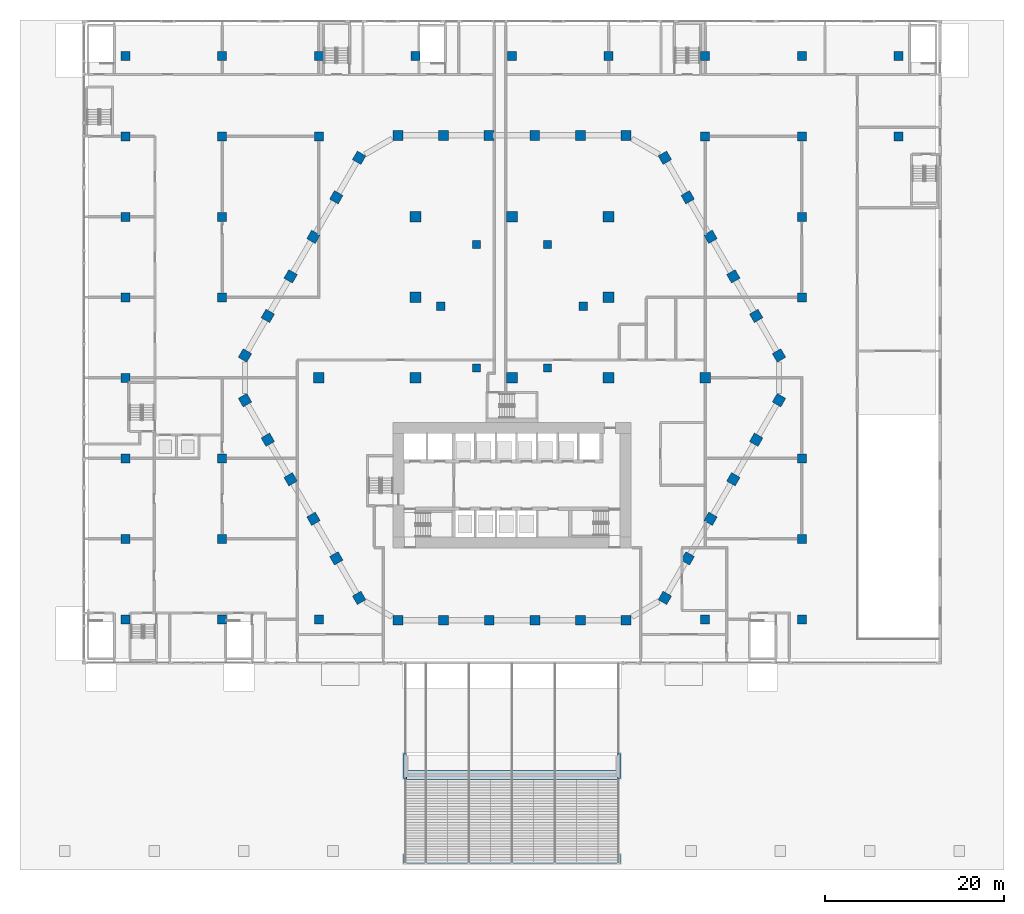
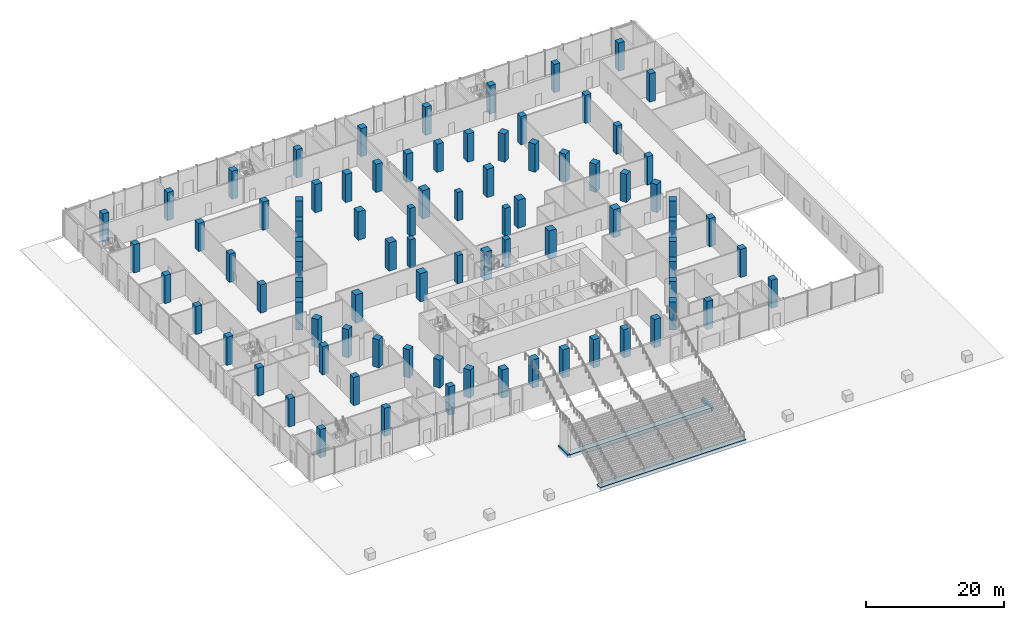
# One storey, part 1 of 57: 85 columns, 4 footings.
"""IFC4 building model written with IfcOpenShell, lengths in metres."""

from ifc_helpers import new_model, si_unit, direction, frame, origin, origin_2d, place, context, subcontext, project, spatial, polyline, rectangle, outline, extrude, material, material_profile, profile_set, type_object, element, save


model = new_model("IFC4")

# Units and contexts
model_context = context("Model", 3, precision=1e-05, world=origin(), true_north=direction((0.0, 1.0)))
body_context = subcontext(model_context, "Body", "Model", "MODEL_VIEW")
ifc_project = project(units=[si_unit("LENGTHUNIT", "METRE"), si_unit("AREAUNIT", "SQUARE_METRE"), si_unit("VOLUMEUNIT", "CUBIC_METRE"), si_unit("PLANEANGLEUNIT", "RADIAN"), si_unit("MASSUNIT", "GRAM", prefix="KILO")], contexts=[model_context])

# Site, building, storey
site_placement = place(None, origin())
site = spatial("IfcSite", under=ifc_project, at=site_placement, CompositionType="ELEMENT")
building_placement = place(site_placement, origin())
building = spatial("IfcBuilding", under=site, at=building_placement, Name="Beryl Residences", CompositionType="ELEMENT")
storey_placement = place(building_placement, origin())
storey = spatial("IfcBuildingStorey", under=building, at=storey_placement, Name="L00", CompositionType="ELEMENT", Elevation=0.0)

# Footings
ifc_material_1 = material(Name="Concrete C40/50", Category="concrete")
footing_type = type_object("IfcFootingType", Name="FS1 stair strip footing 1000 x 600 mm", PredefinedType="STRIP_FOOTING", material=ifc_material_1)
footing_1_placement = place(storey_placement, frame((0.0, 0.0, -0.60009765625)))
element("IfcFooting", 1, at=footing_1_placement, inside=storey, type_object=footing_type, Name="FS1 stair strip footing footing-wall1", PredefinedType="STRIP_FOOTING", context=body_context, shape_type="SweptSolid", body=[
    extrude(outline(polyline([(-11.800048828125, -44.89990234375), (11.800048828125, -44.89990234375), (11.800048828125, -43.89990234375), (-11.800048828125, -43.89990234375), (-11.800048828125, -44.89990234375)])), origin(), (0.0, 0.0, 1.0), 0.60009765625),
])
footing_2_placement = place(storey_placement, frame((0.0, 0.0, -0.60009765625)))
element("IfcFooting", 2, at=footing_2_placement, inside=storey, type_object=footing_type, Name="FS1 stair strip footing footing-wend-w1", PredefinedType="STRIP_FOOTING", context=body_context, shape_type="SweptSolid", body=[
    extrude(outline(polyline([(-12.199951171875, -44.800048828125), (-11.800048828125, -44.800048828125), (-11.800048828125, -42.0), (-12.199951171875, -42.0), (-12.199951171875, -44.800048828125)])), origin(), (0.0, 0.0, 1.0), 0.60009765625),
])
footing_3_placement = place(storey_placement, frame((0.0, 0.0, -0.60009765625)))
element("IfcFooting", 3, at=footing_3_placement, inside=storey, type_object=footing_type, Name="FS1 stair strip footing footing-wend-e1", PredefinedType="STRIP_FOOTING", context=body_context, shape_type="SweptSolid", body=[
    extrude(outline(polyline([(11.800048828125, -44.800048828125), (12.199951171875, -44.800048828125), (12.199951171875, -42.0), (11.800048828125, -42.0), (11.800048828125, -44.800048828125)])), origin(), (0.0, 0.0, 1.0), 0.60009765625),
])
footing_4_placement = place(storey_placement, frame((0.0, 0.0, -0.60009765625)))
element("IfcFooting", 4, at=footing_4_placement, inside=storey, type_object=footing_type, Name="FS1 stair strip footing footing-foot1", PredefinedType="STRIP_FOOTING", context=body_context, shape_type="SweptSolid", body=[
    extrude(outline(polyline([(-12.199951171875, -54.300048828125), (12.199951171875, -54.300048828125), (12.199951171875, -53.300048828125), (-12.199951171875, -53.300048828125), (-12.199951171875, -54.300048828125)])), origin(), (0.0, 0.0, 1.0), 0.60009765625),
])

# Columns
ifc_material_2 = material(Name="Concrete C80/95", Category="concrete")
ifc_material_profile_1 = material_profile(ifc_material_2, rectangle(XDim=1.10009765625, YDim=1.10009765625, at=origin_2d()))
ifc_profile_set_1 = profile_set([ifc_material_profile_1], Name="Concrete C80/95")
column_type_1 = type_object("IfcColumnType", Name="C1 tube column 1100 x 1100 C80/95", PredefinedType="COLUMN", material=ifc_profile_set_1)
for number, where, z_axis, x_axis, name in (
    (5, (12.759033203125, 27.10009765625, 0.0), (0.0, 0.0, 1.0), (-1.0, 0.0, 0.0), "C1-N1 L00"),
    (6, (7.655029296875, 27.10009765625, 0.0), (0.0, 0.0, 1.0), (-1.0, 0.0, 0.0), "C1-N2 L00"),
    (7, (2.551025390625, 27.10009765625, 0.0), (0.0, 0.0, 1.0), (-1.0, 0.0, 0.0), "C1-N3 L00"),
    (8, (-2.552978515625, 27.10009765625, 0.0), (0.0, 0.0, 1.0), (-1.0, 0.0, 0.0), "C1-N4 L00"),
    (9, (-7.656982421875, 27.10009765625, 0.0), (0.0, 0.0, 1.0), (-1.0, 0.0, 0.0), "C1-N5 L00"),
    (10, (-12.760986328125, 27.10009765625, 0.0), (0.0, 0.0, 1.0), (-1.0, 0.0, 0.0), "C1-N6 L00"),
    (11, (-17.090087890625, 24.60009765625, 0.0), (0.0, 0.0, 1.0), (-0.499984884929, -0.866034130299, 0.0), "C1-NW1 L00"),
    (12, (-19.64208984375, 20.179931640625, 0.0), (0.0, 0.0, 1.0), (-0.499984884929, -0.866034130299, 0.0), "C1-NW2 L00"),
    (13, (-22.194091796875, 15.759033203125, 0.0), (0.0, 0.0, 1.0), (-0.499984884929, -0.866034130299, 0.0), "C1-NW3 L00"),
    (14, (-24.74609375, 11.339111328125, 0.0), (0.0, 0.0, 1.0), (-0.499984884929, -0.866034130299, 0.0), "C1-NW4 L00"),
    (15, (-27.298095703125, 6.9189453125, 0.0), (0.0, 0.0, 1.0), (-0.499984884929, -0.866034130299, 0.0), "C1-NW5 L00"),
    (16, (-29.84912109375, 2.4990234375, 0.0), (0.0, 0.0, 1.0), (-0.499984884929, -0.866034130299, 0.0), "C1-NW6 L00"),
    (17, (-29.847900390625, -2.5, 0.0), (0.0, 0.0, 1.0), (0.499984884929, -0.866034130299, 0.0), "C1-SW1 L00"),
    (18, (-27.297119140625, -6.9208984375, 0.0), (0.0, 0.0, 1.0), (0.499984884929, -0.866034130299, 0.0), "C1-SW2 L00"),
    (19, (-24.7451171875, -11.341064453125, 0.0), (0.0, 0.0, 1.0), (0.499984884929, -0.866034130299, 0.0), "C1-SW3 L00"),
    (20, (-22.193115234375, -15.760986328125, 0.0), (0.0, 0.0, 1.0), (0.499984884929, -0.866034130299, 0.0), "C1-SW4 L00"),
    (21, (-19.64111328125, -20.180908203125, 0.0), (0.0, 0.0, 1.0), (0.499984884929, -0.866034130299, 0.0), "C1-SW5 L00"),
    (22, (-17.089111328125, -24.60107421875, 0.0), (0.0, 0.0, 1.0), (0.499984884929, -0.866034130299, 0.0), "C1-SW6 L00"),
    (23, (-12.759033203125, -27.10009765625, 0.0), (0.0, 0.0, 1.0), (1.0, 0.0, 0.0), "C1-S1 L00"),
    (24, (-7.655029296875, -27.10009765625, 0.0), (0.0, 0.0, 1.0), (1.0, 0.0, 0.0), "C1-S2 L00"),
    (25, (-2.551025390625, -27.10009765625, 0.0), (0.0, 0.0, 1.0), (1.0, 0.0, 0.0), "C1-S3 L00"),
    (26, (2.552978515625, -27.10009765625, 0.0), (0.0, 0.0, 1.0), (1.0, 0.0, 0.0), "C1-S4 L00"),
    (27, (7.656982421875, -27.10009765625, 0.0), (0.0, 0.0, 1.0), (1.0, 0.0, 0.0), "C1-S5 L00"),
    (28, (12.760986328125, -27.10009765625, 0.0), (0.0, 0.0, 1.0), (1.0, 0.0, 0.0), "C1-S6 L00"),
    (29, (17.090087890625, -24.60009765625, 0.0), (0.0, 0.0, 1.0), (0.499984884929, 0.866034130299, 0.0), "C1-SE1 L00"),
    (30, (19.64208984375, -20.179931640625, 0.0), (0.0, 0.0, 1.0), (0.499984884929, 0.866034130299, 0.0), "C1-SE2 L00"),
    (31, (22.194091796875, -15.759033203125, 0.0), (0.0, 0.0, 1.0), (0.499984884929, 0.866034130299, 0.0), "C1-SE3 L00"),
    (32, (24.74609375, -11.339111328125, 0.0), (0.0, 0.0, 1.0), (0.499984884929, 0.866034130299, 0.0), "C1-SE4 L00"),
    (33, (27.298095703125, -6.9189453125, 0.0), (0.0, 0.0, 1.0), (0.499984884929, 0.866034130299, 0.0), "C1-SE5 L00"),
    (34, (29.84912109375, -2.4990234375, 0.0), (0.0, 0.0, 1.0), (0.499984884929, 0.866034130299, 0.0), "C1-SE6 L00"),
    (35, (29.847900390625, 2.5, 0.0), (0.0, 0.0, 1.0), (-0.499984884929, 0.866034130299, 0.0), "C1-NE1 L00"),
    (36, (27.297119140625, 6.9208984375, 0.0), (0.0, 0.0, 1.0), (-0.499984884929, 0.866034130299, 0.0), "C1-NE2 L00"),
    (37, (24.7451171875, 11.341064453125, 0.0), (0.0, 0.0, 1.0), (-0.499984884929, 0.866034130299, 0.0), "C1-NE3 L00"),
    (38, (22.193115234375, 15.760986328125, 0.0), (0.0, 0.0, 1.0), (-0.499984884929, 0.866034130299, 0.0), "C1-NE4 L00"),
    (39, (19.64111328125, 20.180908203125, 0.0), (0.0, 0.0, 1.0), (-0.499984884929, 0.866034130299, 0.0), "C1-NE5 L00"),
    (40, (17.089111328125, 24.60107421875, 0.0), (0.0, 0.0, 1.0), (-0.499984884929, 0.866034130299, 0.0), "C1-NE6 L00"),
):
    element("IfcColumn", number, at=place(storey_placement, frame(where, z_axis=z_axis, x_axis=x_axis)), inside=storey, type_object=column_type_1, Name=name, PredefinedType="COLUMN", context=body_context, shape_type="SweptSolid", body=[
        extrude(rectangle(XDim=1.10009765625, YDim=1.10009765625, at=origin_2d()), origin(), (0.0, 0.0, 1.0), 5.0),
    ])
ifc_material_3 = material(Name="Concrete C80/95", Category="concrete")
ifc_material_profile_2 = material_profile(ifc_material_3, rectangle(XDim=0.89990234375, YDim=0.89990234375, at=origin_2d()))
ifc_profile_set_2 = profile_set([ifc_material_profile_2], Name="Concrete C80/95")
column_type_2 = type_object("IfcColumnType", Name="IC1 interior column 900 x 900 C80/95", PredefinedType="COLUMN", material=ifc_profile_set_2)
for number, where, z_axis, x_axis, name in (
    (41, (3.98388671875, 1.10009765625, 0.0), (0.0, 0.0, 1.0), (1.0, 0.0, 0.0), "IC1-A07 L00"),
    (42, (7.967041015625, 8.0, 0.0), (0.0, 0.0, 1.0), (1.0, 0.0, 0.0), "IC1-A10 L00"),
    (43, (3.98388671875, 14.89990234375, 0.0), (0.0, 0.0, 1.0), (1.0, 0.0, 0.0), "IC1-A13 L00"),
    (44, (-3.98388671875, 14.89990234375, 0.0), (0.0, 0.0, 1.0), (1.0, 0.0, 0.0), "IC1-A16 L00"),
    (45, (-7.967041015625, 8.0, 0.0), (0.0, 0.0, 1.0), (1.0, 0.0, 0.0), "IC1-A19 L00"),
    (46, (-3.98388671875, 1.10009765625, 0.0), (0.0, 0.0, 1.0), (1.0, 0.0, 0.0), "IC1-A22 L00"),
):
    element("IfcColumn", number, at=place(storey_placement, frame(where, z_axis=z_axis, x_axis=x_axis)), inside=storey, type_object=column_type_2, Name=name, PredefinedType="COLUMN", context=body_context, shape_type="SweptSolid", body=[
        extrude(rectangle(XDim=0.89990234375, YDim=0.89990234375, at=origin_2d()), origin(), (0.0, 0.0, 1.0), 5.0),
    ])
ifc_material_4 = material(Name="Concrete C80/95", Category="concrete")
ifc_material_profile_3 = material_profile(ifc_material_4, rectangle(XDim=1.199951171875, YDim=1.199951171875, at=origin_2d()))
ifc_profile_set_3 = profile_set([ifc_material_profile_3], Name="Concrete C80/95")
column_type_3 = type_object("IfcColumnType", Name="IG1 grid column 1200 x 1200 C80/95", PredefinedType="COLUMN", material=ifc_profile_set_3)
for number, where, z_axis, x_axis, name in (
    (47, (-21.60009765625, 0.0, 0.0), (0.0, 0.0, 1.0), (1.0, 0.0, 0.0), "IG-3D L00"),
    (48, (-10.800048828125, 0.0, 0.0), (0.0, 0.0, 1.0), (1.0, 0.0, 0.0), "IG-4D L00"),
    (49, (-10.800048828125, 9.0, 0.0), (0.0, 0.0, 1.0), (1.0, 0.0, 0.0), "IG-4E L00"),
    (50, (-10.800048828125, 18.0, 0.0), (0.0, 0.0, 1.0), (1.0, 0.0, 0.0), "IG-4F L00"),
    (51, (0.0, 0.0, 0.0), (0.0, 0.0, 1.0), (1.0, 0.0, 0.0), "IG-5D L00"),
    (52, (0.0, 18.0, 0.0), (0.0, 0.0, 1.0), (1.0, 0.0, 0.0), "IG-5F L00"),
    (53, (10.800048828125, 0.0, 0.0), (0.0, 0.0, 1.0), (1.0, 0.0, 0.0), "IG-6D L00"),
    (54, (10.800048828125, 9.0, 0.0), (0.0, 0.0, 1.0), (1.0, 0.0, 0.0), "IG-6E L00"),
    (55, (10.800048828125, 18.0, 0.0), (0.0, 0.0, 1.0), (1.0, 0.0, 0.0), "IG-6F L00"),
    (56, (21.60009765625, 0.0, 0.0), (0.0, 0.0, 1.0), (1.0, 0.0, 0.0), "IG-7D L00"),
):
    element("IfcColumn", number, at=place(storey_placement, frame(where, z_axis=z_axis, x_axis=x_axis)), inside=storey, type_object=column_type_3, Name=name, PredefinedType="COLUMN", context=body_context, shape_type="SweptSolid", body=[
        extrude(rectangle(XDim=1.199951171875, YDim=1.199951171875, at=origin_2d()), origin(), (0.0, 0.0, 1.0), 5.0),
    ])
ifc_material_5 = material(Name="Concrete C50/60", Category="concrete")
ifc_material_profile_4 = material_profile(ifc_material_5, rectangle(XDim=1.0, YDim=1.0, at=origin_2d()))
ifc_profile_set_4 = profile_set([ifc_material_profile_4], Name="Concrete C50/60")
column_type_4 = type_object("IfcColumnType", Name="PCL1 podium column 1000 x 1000 C50/60", PredefinedType="COLUMN", material=ifc_profile_set_4)
for number, where, z_axis, x_axis, name in (
    (57, (-43.199951171875, -27.0, 0.0), (0.0, 0.0, 1.0), (1.0, 0.0, 0.0), "PCL-1A L00"),
    (58, (-43.199951171875, -18.0, 0.0), (0.0, 0.0, 1.0), (1.0, 0.0, 0.0), "PCL-1B L00"),
    (59, (-43.199951171875, -9.0, 0.0), (0.0, 0.0, 1.0), (1.0, 0.0, 0.0), "PCL-1C L00"),
    (60, (-43.199951171875, 0.0, 0.0), (0.0, 0.0, 1.0), (1.0, 0.0, 0.0), "PCL-1D L00"),
    (61, (-43.199951171875, 9.0, 0.0), (0.0, 0.0, 1.0), (1.0, 0.0, 0.0), "PCL-1E L00"),
    (62, (-43.199951171875, 18.0, 0.0), (0.0, 0.0, 1.0), (1.0, 0.0, 0.0), "PCL-1F L00"),
    (63, (-43.199951171875, 27.0, 0.0), (0.0, 0.0, 1.0), (1.0, 0.0, 0.0), "PCL-1G L00"),
    (64, (-43.199951171875, 36.0, 0.0), (0.0, 0.0, 1.0), (1.0, 0.0, 0.0), "PCL-1H L00"),
    (65, (-32.39990234375, -27.0, 0.0), (0.0, 0.0, 1.0), (1.0, 0.0, 0.0), "PCL-2A L00"),
    (66, (-32.39990234375, -18.0, 0.0), (0.0, 0.0, 1.0), (1.0, 0.0, 0.0), "PCL-2B L00"),
    (67, (-32.39990234375, -9.0, 0.0), (0.0, 0.0, 1.0), (1.0, 0.0, 0.0), "PCL-2C L00"),
    (68, (-32.39990234375, 9.0, 0.0), (0.0, 0.0, 1.0), (1.0, 0.0, 0.0), "PCL-2E L00"),
    (69, (-32.39990234375, 18.0, 0.0), (0.0, 0.0, 1.0), (1.0, 0.0, 0.0), "PCL-2F L00"),
    (70, (-32.39990234375, 27.0, 0.0), (0.0, 0.0, 1.0), (1.0, 0.0, 0.0), "PCL-2G L00"),
    (71, (-32.39990234375, 36.0, 0.0), (0.0, 0.0, 1.0), (1.0, 0.0, 0.0), "PCL-2H L00"),
    (72, (-21.60009765625, -27.0, 0.0), (0.0, 0.0, 1.0), (1.0, 0.0, 0.0), "PCL-3A L00"),
    (73, (-21.60009765625, 27.0, 0.0), (0.0, 0.0, 1.0), (1.0, 0.0, 0.0), "PCL-3G L00"),
    (74, (-21.60009765625, 36.0, 0.0), (0.0, 0.0, 1.0), (1.0, 0.0, 0.0), "PCL-3H L00"),
    (75, (-10.800048828125, 36.0, 0.0), (0.0, 0.0, 1.0), (1.0, 0.0, 0.0), "PCL-4H L00"),
    (76, (0.0, 36.0, 0.0), (0.0, 0.0, 1.0), (1.0, 0.0, 0.0), "PCL-5H L00"),
    (77, (10.800048828125, 36.0, 0.0), (0.0, 0.0, 1.0), (1.0, 0.0, 0.0), "PCL-6H L00"),
    (78, (21.60009765625, -27.0, 0.0), (0.0, 0.0, 1.0), (1.0, 0.0, 0.0), "PCL-7A L00"),
    (79, (21.60009765625, 27.0, 0.0), (0.0, 0.0, 1.0), (1.0, 0.0, 0.0), "PCL-7G L00"),
    (80, (21.60009765625, 36.0, 0.0), (0.0, 0.0, 1.0), (1.0, 0.0, 0.0), "PCL-7H L00"),
    (81, (32.39990234375, -27.0, 0.0), (0.0, 0.0, 1.0), (1.0, 0.0, 0.0), "PCL-8A L00"),
    (82, (32.39990234375, -18.0, 0.0), (0.0, 0.0, 1.0), (1.0, 0.0, 0.0), "PCL-8B L00"),
    (83, (32.39990234375, -9.0, 0.0), (0.0, 0.0, 1.0), (1.0, 0.0, 0.0), "PCL-8C L00"),
    (84, (32.39990234375, 9.0, 0.0), (0.0, 0.0, 1.0), (1.0, 0.0, 0.0), "PCL-8E L00"),
    (85, (32.39990234375, 18.0, 0.0), (0.0, 0.0, 1.0), (1.0, 0.0, 0.0), "PCL-8F L00"),
    (86, (32.39990234375, 27.0, 0.0), (0.0, 0.0, 1.0), (1.0, 0.0, 0.0), "PCL-8G L00"),
    (87, (32.39990234375, 36.0, 0.0), (0.0, 0.0, 1.0), (1.0, 0.0, 0.0), "PCL-8H L00"),
    (88, (43.199951171875, 27.0, 0.0), (0.0, 0.0, 1.0), (1.0, 0.0, 0.0), "PCL-9G L00"),
    (89, (43.199951171875, 36.0, 0.0), (0.0, 0.0, 1.0), (1.0, 0.0, 0.0), "PCL-9H L00"),
):
    element("IfcColumn", number, at=place(storey_placement, frame(where, z_axis=z_axis, x_axis=x_axis)), inside=storey, type_object=column_type_4, Name=name, PredefinedType="COLUMN", context=body_context, shape_type="SweptSolid", body=[
        extrude(rectangle(XDim=1.0, YDim=1.0, at=origin_2d()), origin(), (0.0, 0.0, 1.0), 5.0),
    ])

save(model, "model.ifc")
